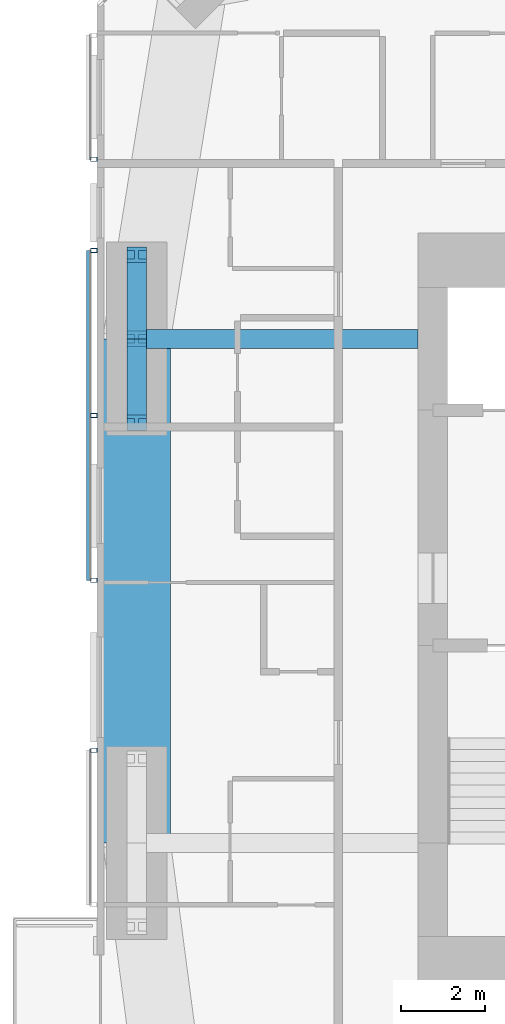
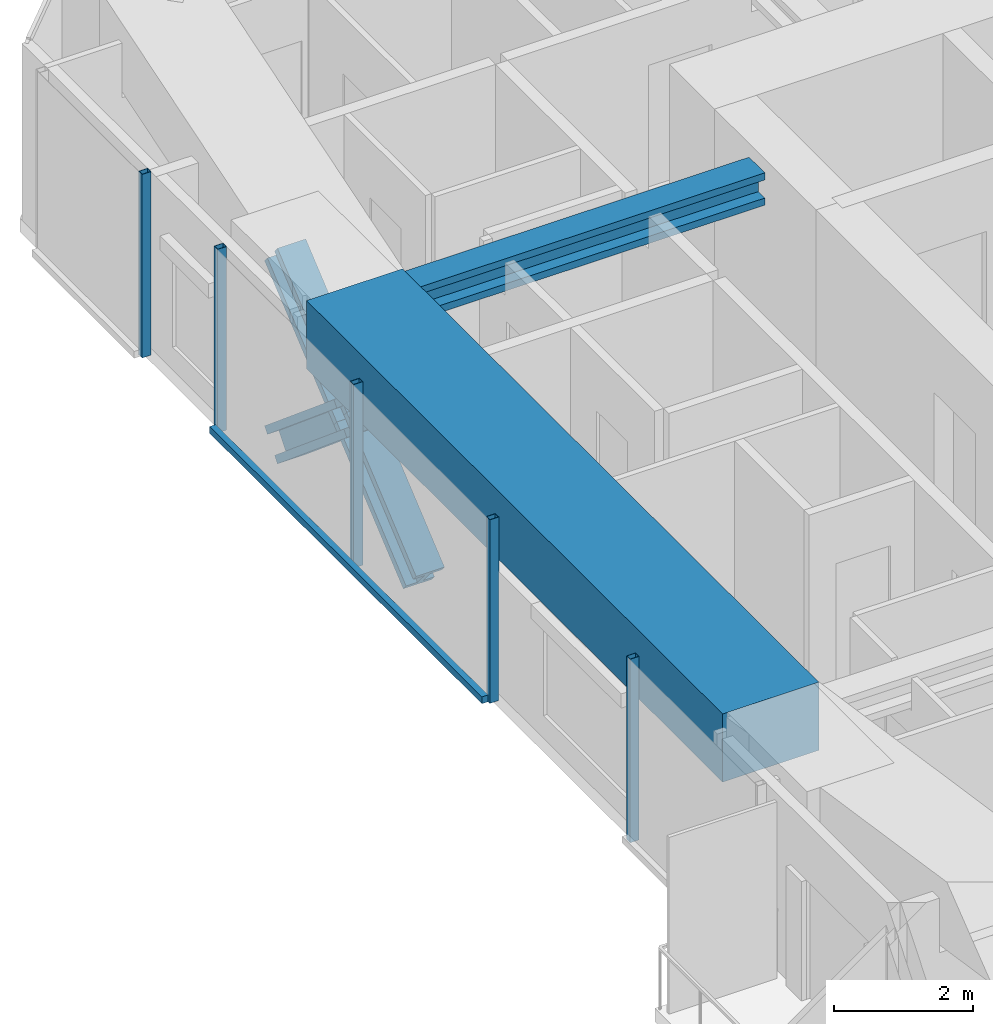
# One storey, part 5 of 23: 10 members, 2 beams, 3 elements without a shape of their own.
"""IFC4 building model written with IfcOpenShell, lengths in metres."""

from ifc_helpers import new_model, si_unit, direction, frame, origin, origin_2d, place, context, subcontext, project, spatial, rectangle, hollow_rectangle, i_section, extrude, material, material_profile, profile_set, type_object, element, aggregate, save


model = new_model("IFC4")

# Units and contexts
model_context = context("Model", 3, precision=1e-05, world=origin(), true_north=direction((0.0, 1.0)))
body_context = subcontext(model_context, "Body", "Model", "MODEL_VIEW")
ifc_project = project(units=[si_unit("LENGTHUNIT", "METRE"), si_unit("AREAUNIT", "SQUARE_METRE"), si_unit("VOLUMEUNIT", "CUBIC_METRE"), si_unit("PLANEANGLEUNIT", "RADIAN"), si_unit("MASSUNIT", "GRAM", prefix="KILO")], contexts=[model_context])

# Site, building, storey
site_placement = place(None, origin())
site = spatial("IfcSite", under=ifc_project, at=site_placement, CompositionType="ELEMENT")
building_placement = place(site_placement, origin())
building = spatial("IfcBuilding", under=site, at=building_placement, Name="Jalousie Tower", CompositionType="ELEMENT")
storey_placement = place(building_placement, frame((0.0, 0.0, 164.39990234375)))
storey = spatial("IfcBuildingStorey", under=building, at=storey_placement, Name="L44", CompositionType="ELEMENT", Elevation=164.39990234375)

# Beam
ifc_material_1 = material(Name="Steel ASTM A992 Grade 50", Category="steel")
ifc_material_profile_1 = material_profile(ifc_material_1, i_section(OverallWidth=0.45458984375, OverallDepth=0.569091796875, WebThickness=0.077880859375, FlangeThickness=0.124755859375, at=origin_2d()), Name="W14X730")
ifc_profile_set_1 = profile_set([ifc_material_profile_1], Name="Steel ASTM A992 Grade 50")
beam_type_1 = type_object("IfcBeamType", Name="LEAN COLLECTOR W14X730", PredefinedType="BEAM", material=ifc_profile_set_1)
beam_1_placement = place(storey_placement, frame((12.949951171875, 25.0, 2.82568359375), z_axis=(1.0, 0.0, 0.0), x_axis=(0.0, 1.0, 0.0)))
element("IfcBeam", 1, at=beam_1_placement, inside=storey, type_object=beam_type_1, Name="Lean collector under L45", PredefinedType="BEAM", context=body_context, shape_type="SweptSolid", body=[
    extrude(i_section(OverallWidth=0.45458984375, OverallDepth=0.569091796875, WebThickness=0.077880859375, FlangeThickness=0.124755859375, at=origin_2d()), origin(), (0.0, 0.0, 1.0), 6.699951171875),
])

# Members
ifc_material_2 = material(Name="Steel ASTM A992 Grade 50", Category="steel")
ifc_material_profile_2 = material_profile(ifc_material_2, i_section(OverallWidth=0.472412109375, OverallDepth=0.5791015625, WebThickness=0.094970703125, FlangeThickness=0.1298828125, at=origin_2d()), Name="W14X808")
ifc_profile_set_2 = profile_set([ifc_material_profile_2], Name="Steel ASTM A992 Grade 50")
member_type_1 = type_object("IfcMemberType", Name="PERIMETER BRACE W14X808", PredefinedType="BRACE", material=ifc_profile_set_2)
member_1_placement = place(storey_placement, frame((12.949951171875, 23.0, -0.599853515625), z_axis=(0.0, 0.766638753323, 0.642078672674), x_axis=(-1.0, 0.0, 0.0)))
element("IfcMember", 2, at=member_1_placement, inside=storey, type_object=member_type_1, Name="Perimeter brace 13 L44 part 1", PredefinedType="BRACE", context=body_context, shape_type="SweptSolid", body=[
    extrude(i_section(OverallWidth=0.472412109375, OverallDepth=0.5791015625, WebThickness=0.094970703125, FlangeThickness=0.1298828125, at=origin_2d()), origin(), (0.0, 0.0, 1.0), 2.60888671875),
])
member_2_placement = place(storey_placement, frame((12.949951171875, 25.0, 1.0751953125), z_axis=(0.0, 0.766684820047, 0.642023665225), x_axis=(-1.0, 0.0, 0.0)))
element("IfcMember", 3, at=member_2_placement, inside=storey, type_object=member_type_1, Name="Perimeter brace 13 L44 part 2", PredefinedType="BRACE", context=body_context, shape_type="SweptSolid", body=[
    extrude(i_section(OverallWidth=0.472412109375, OverallDepth=0.5791015625, WebThickness=0.094970703125, FlangeThickness=0.1298828125, at=origin_2d()), origin(), (0.0, 0.0, 1.0), 2.608642578125),
])
member_3_placement = place(storey_placement, frame((12.949951171875, 27.0, -0.599853515625), z_axis=(0.0, -0.766638753323, 0.642078672674), x_axis=(1.0, 0.0, 0.0)))
element("IfcMember", 4, at=member_3_placement, inside=storey, type_object=member_type_1, Name="Perimeter brace 13 L44 part 3", PredefinedType="BRACE", context=body_context, shape_type="SweptSolid", body=[
    extrude(i_section(OverallWidth=0.472412109375, OverallDepth=0.5791015625, WebThickness=0.094970703125, FlangeThickness=0.1298828125, at=origin_2d()), origin(), (0.0, 0.0, 1.0), 2.60888671875),
])
member_4_placement = place(storey_placement, frame((12.949951171875, 25.0, 1.0751953125), z_axis=(0.0, -0.766684820047, 0.642023665225), x_axis=(1.0, 0.0, 0.0)))
element("IfcMember", 5, at=member_4_placement, inside=storey, type_object=member_type_1, Name="Perimeter brace 13 L44 part 4", PredefinedType="BRACE", context=body_context, shape_type="SweptSolid", body=[
    extrude(i_section(OverallWidth=0.472412109375, OverallDepth=0.5791015625, WebThickness=0.094970703125, FlangeThickness=0.1298828125, at=origin_2d()), origin(), (0.0, 0.0, 1.0), 2.608642578125),
])

# Beam
ifc_material_3 = material(Name="Concrete f'c 40 MPa", Category="concrete")
ifc_material_profile_3 = material_profile(ifc_material_3, rectangle(XDim=1.60009765625, YDim=1.199951171875, at=origin_2d()), Name="RC 1600x1200")
ifc_profile_set_3 = profile_set([ifc_material_profile_3], Name="Concrete f'c 40 MPa")
beam_type_2 = type_object("IfcBeamType", Name="RC BEAM 1600x1200", PredefinedType="BEAM", material=ifc_profile_set_3)
beam_2_placement = place(storey_placement, frame((12.949951171875, 25.0, 2.75), z_axis=(0.0, -1.0, 0.0), x_axis=(1.0, 0.0, 0.0)))
element("IfcBeam", 6, at=beam_2_placement, inside=storey, type_object=beam_type_2, Name="Edge band beam 13-14 under L45", PredefinedType="BEAM", context=body_context, shape_type="SweptSolid", body=[
    extrude(rectangle(XDim=1.60009765625, YDim=1.199951171875, at=origin_2d()), origin(), (0.0, 0.0, 1.0), 12.0),
])

# Curtain wall, member
ifc_material_4 = material(Name="Perforated aluminium sheet", Category="aluminium")
curtain_wall_type = type_object("IfcCurtainWallType", Name="SOLAR SCREEN SS-1", PredefinedType="USERDEFINED", material=ifc_material_4)
curtain_wall_1_placement = place(storey_placement, origin())
curtain_wall_1 = element("IfcCurtainWall", 7, at=curtain_wall_1_placement, inside=storey, type_object=curtain_wall_type, Name="Solar screen L44", ObjectType="SOLAR SCREEN SS-1", PredefinedType="USERDEFINED")
ifc_material_5 = material(Name="Steel ASTM A500 Grade C", Category="steel")
ifc_material_profile_4 = material_profile(ifc_material_5, hollow_rectangle(XDim=0.1015625, YDim=0.15234375, WallThickness=0.00634765625, at=origin_2d()), Name="HSS6X4X1/4")
ifc_profile_set_4 = profile_set([ifc_material_profile_4], Name="Steel ASTM A500 Grade C")
member_type_2 = type_object("IfcMemberType", Name="SOLAR SCREEN SS-1 MULLION", PredefinedType="MULLION", material=ifc_profile_set_4)
member_5_placement = place(storey_placement, frame((11.9287109375, 29.27490234375, -0.119873046875), z_axis=(0.0, 0.0, 1.0), x_axis=(0.0, -1.0, 0.0)))
member_5 = element("IfcMember", 8, at=member_5_placement, type_object=member_type_2, Name="SS1 post 2", PredefinedType="MULLION", context=body_context, shape_type="SweptSolid", body=[
    extrude(hollow_rectangle(XDim=0.1015625, YDim=0.15234375, WallThickness=0.00634765625, at=origin_2d()), origin(), (0.0, 0.0, 1.0), 3.22998046875),
])
aggregate(curtain_wall_1, [member_5])

# Curtain wall, members
curtain_wall_2_placement = place(storey_placement, origin())
curtain_wall_2 = element("IfcCurtainWall", 9, at=curtain_wall_2_placement, inside=storey, type_object=curtain_wall_type, Name="Solar screen L44", ObjectType="SOLAR SCREEN SS-1", PredefinedType="USERDEFINED")
member_6_placement = place(storey_placement, frame((11.9287109375, 27.10009765625, -0.119873046875), z_axis=(0.0, 0.0, 1.0), x_axis=(0.0, -1.0, 0.0)))
member_6 = element("IfcMember", 10, at=member_6_placement, type_object=member_type_2, Name="SS1 post 1", PredefinedType="MULLION", context=body_context, shape_type="SweptSolid", body=[
    extrude(hollow_rectangle(XDim=0.1015625, YDim=0.15234375, WallThickness=0.00634765625, at=origin_2d()), origin(), (0.0, 0.0, 1.0), 3.22998046875),
])
member_7_placement = place(storey_placement, frame((11.9287109375, 23.175048828125, -0.119873046875), z_axis=(0.0, 0.0, 1.0), x_axis=(0.0, -1.0, 0.0)))
member_7 = element("IfcMember", 11, at=member_7_placement, type_object=member_type_2, Name="SS1 post 2", PredefinedType="MULLION", context=body_context, shape_type="SweptSolid", body=[
    extrude(hollow_rectangle(XDim=0.1015625, YDim=0.15234375, WallThickness=0.00634765625, at=origin_2d()), origin(), (0.0, 0.0, 1.0), 3.22998046875),
])
member_8_placement = place(storey_placement, frame((11.9287109375, 19.25, -0.119873046875), z_axis=(0.0, 0.0, 1.0), x_axis=(0.0, -1.0, 0.0)))
member_8 = element("IfcMember", 12, at=member_8_placement, type_object=member_type_2, Name="SS1 post 3", PredefinedType="MULLION", context=body_context, shape_type="SweptSolid", body=[
    extrude(hollow_rectangle(XDim=0.1015625, YDim=0.15234375, WallThickness=0.00634765625, at=origin_2d()), origin(), (0.0, 0.0, 1.0), 3.22998046875),
])

# Curtain wall, member
curtain_wall_3_placement = place(storey_placement, origin())
curtain_wall_3 = element("IfcCurtainWall", 13, at=curtain_wall_3_placement, inside=storey, type_object=curtain_wall_type, Name="Solar screen L44", ObjectType="SOLAR SCREEN SS-1", PredefinedType="USERDEFINED")
member_9_placement = place(storey_placement, frame((11.9287109375, 15.205078125, -0.119873046875), z_axis=(0.0, 0.0, 1.0), x_axis=(0.0, -1.0, 0.0)))
member_9 = element("IfcMember", 14, at=member_9_placement, type_object=member_type_2, Name="SS1 post 1", PredefinedType="MULLION", context=body_context, shape_type="SweptSolid", body=[
    extrude(hollow_rectangle(XDim=0.1015625, YDim=0.15234375, WallThickness=0.00634765625, at=origin_2d()), origin(), (0.0, 0.0, 1.0), 3.22998046875),
])
aggregate(curtain_wall_3, [member_9])

# Member
ifc_material_6 = material(Name="Extruded aluminium screen rail", Category="aluminium")
ifc_material_profile_5 = material_profile(ifc_material_6, rectangle(XDim=0.1015625, YDim=0.1201171875, at=origin_2d()), Name="RAIL 102x120")
ifc_profile_set_5 = profile_set([ifc_material_profile_5], Name="Extruded aluminium screen rail")
member_type_3 = type_object("IfcMemberType", Name="SOLAR SCREEN SS-1 TRANSOM", PredefinedType="USERDEFINED", material=ifc_profile_set_5)
member_10_placement = place(storey_placement, frame((11.8017578125, 27.10009765625, -0.059814453125), z_axis=(0.0, -1.0, 0.0), x_axis=(1.0, 0.0, 0.0)))
member_10 = element("IfcMember", 15, at=member_10_placement, type_object=member_type_3, Name="SS1 rail", ObjectType="TRANSOM", PredefinedType="USERDEFINED", context=body_context, shape_type="SweptSolid", body=[
    extrude(rectangle(XDim=0.1015625, YDim=0.1201171875, at=origin_2d()), origin(), (0.0, 0.0, 1.0), 7.85009765625),
])

aggregate(curtain_wall_2, [member_6, member_7, member_8, member_10])

save(model, "model.ifc")
